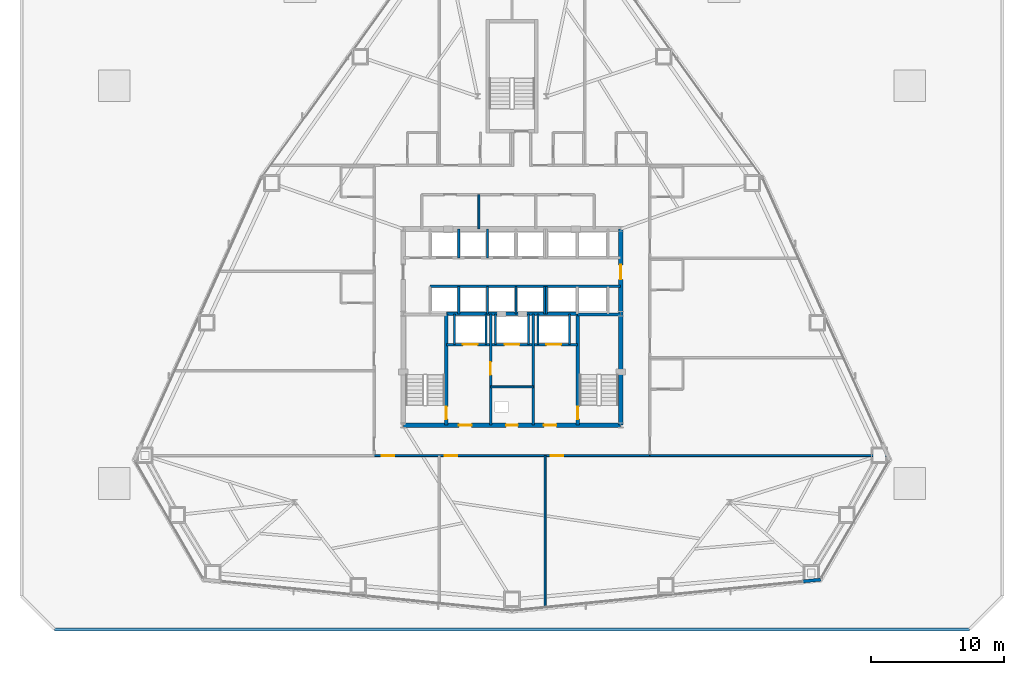
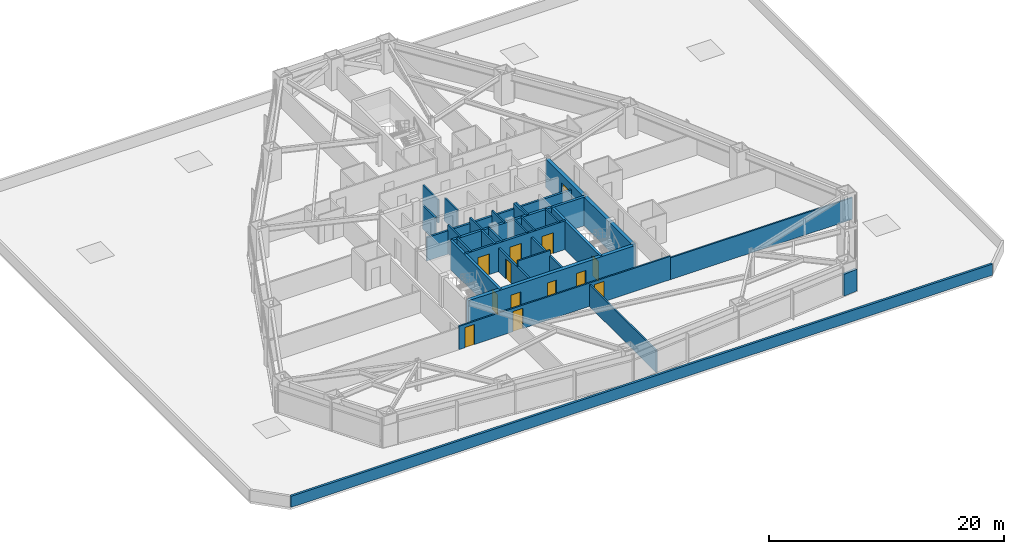
# One storey, part 13 of 17: 30 walls, 13 doors, 13 openings.
"""IFC4 building model written with IfcOpenShell, lengths in metres."""

from ifc_helpers import new_model, si_unit, direction, frame, frame_2d, origin, place, context, subcontext, project, spatial, rectangle, extrude, material, layer, layer_set, type_object, element, fill, save


model = new_model("IFC4")

# Units and contexts
model_context = context("Model", 3, precision=1e-05, world=origin(), true_north=direction((0.0, 1.0)))
body_context = subcontext(model_context, "Body", "Model", "MODEL_VIEW")
ifc_project = project(units=[si_unit("LENGTHUNIT", "METRE"), si_unit("AREAUNIT", "SQUARE_METRE"), si_unit("VOLUMEUNIT", "CUBIC_METRE"), si_unit("PLANEANGLEUNIT", "RADIAN"), si_unit("MASSUNIT", "GRAM", prefix="KILO")], contexts=[model_context])

# Site, building, storey
site_placement = place(None, origin())
site = spatial("IfcSite", under=ifc_project, at=site_placement, CompositionType="ELEMENT")
building_placement = place(site_placement, origin())
building = spatial("IfcBuilding", under=site, at=building_placement, Name="Varakhsha Concourse Tower", CompositionType="ELEMENT")
storey_placement = place(building_placement, frame((0.0, 0.0, 27.199951171875)))
storey = spatial("IfcBuildingStorey", under=building, at=storey_placement, Name="L06", CompositionType="ELEMENT", Elevation=27.199951171875)

# Wall, openings, doors
ifc_material_1 = material(Name="Concrete fc 65 MPa", Category="concrete")
ifc_layer_1 = layer(ifc_material_1, 0.35009765625, Name="WL-CORE-350")
ifc_layer_set_1 = layer_set([ifc_layer_1], Name="Concrete fc 65 MPa")
wall_type_1 = type_object("IfcWallType", Name="WL-CORE-350", PredefinedType="SHEAR", material=ifc_layer_set_1)
wall_1_placement = place(storey_placement, frame((31.800048828125, 16.39990234375, 0.0), z_axis=(0.0, 0.0, 1.0), x_axis=(1.0, 0.0, 0.0)))
wall_1 = element("IfcWall", 1, at=wall_1_placement, inside=storey, type_object=wall_type_1, Name="L06 Wall CWALL-S-L06", PredefinedType="SHEAR", context=body_context, shape_type="SweptSolid", body=[
    extrude(rectangle(XDim=16.39990234375, YDim=0.35009765625, at=frame_2d((8.199951171875, 0.0))), origin(), (0.0, 0.0, 1.0), 2.97998046875),
])
opening_1_placement = place(wall_1_placement, frame((7.75, 0.0, 0.0)))
opening_1 = element("IfcOpeningElement", 2, at=opening_1_placement, cuts=wall_1, Name="Opening DF-06", PredefinedType="OPENING", context=body_context, shape_type="SweptSolid", body=[
    extrude(rectangle(XDim=0.89990234375, YDim=2.10009765625, at=frame_2d((0.449951171875, 1.050048828125))), frame((0.0, 0.18505859375, 0.0), z_axis=(0.0, -1.0, 0.0), x_axis=(1.0, 0.0, 0.0)), (0.0, 0.0, 1.0), 0.3701171875),
])
opening_2_placement = place(wall_1_placement, frame((4.199951171875, 0.0, 0.0)))
opening_2 = element("IfcOpeningElement", 3, at=opening_2_placement, cuts=wall_1, Name="Opening DF-05", PredefinedType="OPENING", context=body_context, shape_type="SweptSolid", body=[
    extrude(rectangle(XDim=0.949951171875, YDim=2.10009765625, at=frame_2d((0.47509765625, 1.050048828125))), frame((0.0, 0.18505859375, 0.0), z_axis=(0.0, -1.0, 0.0), x_axis=(1.0, 0.0, 0.0)), (0.0, 0.0, 1.0), 0.3701171875),
])
opening_3_placement = place(wall_1_placement, frame((10.60009765625, 0.0, 0.0)))
opening_3 = element("IfcOpeningElement", 4, at=opening_3_placement, cuts=wall_1, Name="Opening DF-05", PredefinedType="OPENING", context=body_context, shape_type="SweptSolid", body=[
    extrude(rectangle(XDim=0.949951171875, YDim=2.10009765625, at=frame_2d((0.47509765625, 1.050048828125))), frame((0.0, 0.18505859375, 0.0), z_axis=(0.0, -1.0, 0.0), x_axis=(1.0, 0.0, 0.0)), (0.0, 0.0, 1.0), 0.3701171875),
])
ifc_material_2 = material(Name="Hollow Galvanised Steel Fire Door Assembly", Category="steel")
door_type_1 = type_object("IfcDoorType", Name="DR-FD60-900", OperationType="NOTDEFINED", PredefinedType="DOOR", material=ifc_material_2)
door_1_placement = place(opening_1_placement, origin())
door_1 = element("IfcDoor", 5, at=door_1_placement, inside=storey, type_object=door_type_1, Name="L06 Electrical Riser Access Door", OperationType="SINGLE_SWING_LEFT", OverallHeight=2.10009765625, OverallWidth=0.89990234375, PredefinedType="DOOR", context=body_context, shape_type="SweptSolid", body=[
    extrude(rectangle(XDim=0.89990234375, YDim=2.10009765625, at=frame_2d((0.449951171875, 1.050048828125))), frame((0.0, 0.02490234375, 0.0), z_axis=(0.0, -1.0, 0.0), x_axis=(1.0, 0.0, 0.0)), (0.0, 0.0, 1.0), 0.050048828125),
])
fill(opening_1, door_1)
door_type_2 = type_object("IfcDoorType", Name="DR-FD60-950", OperationType="NOTDEFINED", PredefinedType="DOOR", material=ifc_material_2)
door_2_placement = place(opening_2_placement, origin())
door_2 = element("IfcDoor", 6, at=door_2_placement, inside=storey, type_object=door_type_2, Name="L06 Firefighting Lobby West Door", OperationType="SINGLE_SWING_RIGHT", OverallHeight=2.10009765625, OverallWidth=0.949951171875, PredefinedType="DOOR", context=body_context, shape_type="SweptSolid", body=[
    extrude(rectangle(XDim=0.949951171875, YDim=2.10009765625, at=frame_2d((0.47509765625, 1.050048828125))), frame((0.0, 0.02490234375, 0.0), z_axis=(0.0, -1.0, 0.0), x_axis=(1.0, 0.0, 0.0)), (0.0, 0.0, 1.0), 0.050048828125),
])
fill(opening_2, door_2)
door_3_placement = place(opening_3_placement, origin())
door_3 = element("IfcDoor", 7, at=door_3_placement, inside=storey, type_object=door_type_2, Name="L06 Firefighting Lobby East Door", OperationType="SINGLE_SWING_LEFT", OverallHeight=2.10009765625, OverallWidth=0.949951171875, PredefinedType="DOOR", context=body_context, shape_type="SweptSolid", body=[
    extrude(rectangle(XDim=0.949951171875, YDim=2.10009765625, at=frame_2d((0.47509765625, 1.050048828125))), frame((0.0, 0.02490234375, 0.0), z_axis=(0.0, -1.0, 0.0), x_axis=(1.0, 0.0, 0.0)), (0.0, 0.0, 1.0), 0.050048828125),
])
fill(opening_3, door_3)

# Wall, opening, door
wall_2_placement = place(storey_placement, frame((48.199951171875, 16.39990234375, 0.0), z_axis=(0.0, 0.0, 1.0), x_axis=(0.0, 1.0, 0.0)))
wall_2 = element("IfcWall", 8, at=wall_2_placement, inside=storey, type_object=wall_type_1, Name="L06 Wall CWALL-E-L06", PredefinedType="SHEAR", context=body_context, shape_type="SweptSolid", body=[
    extrude(rectangle(XDim=14.800048828125, YDim=0.35009765625, at=frame_2d((7.39990234375, 0.0))), origin(), (0.0, 0.0, 1.0), 2.97998046875),
])
opening_4_placement = place(wall_2_placement, frame((11.0, 0.0, 0.0)))
opening_4 = element("IfcOpeningElement", 9, at=opening_4_placement, cuts=wall_2, Name="Opening DL-01", PredefinedType="OPENING", context=body_context, shape_type="SweptSolid", body=[
    extrude(rectangle(XDim=1.10009765625, YDim=2.14990234375, at=frame_2d((0.550048828125, 1.074951171875))), frame((0.0, 0.18505859375, 0.0), z_axis=(0.0, -1.0, 0.0), x_axis=(1.0, 0.0, 0.0)), (0.0, 0.0, 1.0), 0.3701171875),
])
ifc_material_3 = material(Name="Anodised Bronze Architectural Aluminium AA 6063-T6", Category="aluminium")
door_type_3 = type_object("IfcDoorType", Name="DR-LOB-1100", OperationType="NOTDEFINED", PredefinedType="DOOR", material=ifc_material_3)
door_4_placement = place(opening_4_placement, origin())
door_4 = element("IfcDoor", 10, at=door_4_placement, inside=storey, type_object=door_type_3, Name="L06 Lift Lobby East Concourse Door", OperationType="SINGLE_SWING_RIGHT", OverallHeight=2.14990234375, OverallWidth=1.10009765625, PredefinedType="DOOR", context=body_context, shape_type="SweptSolid", body=[
    extrude(rectangle(XDim=1.10009765625, YDim=2.14990234375, at=frame_2d((0.550048828125, 1.074951171875))), frame((0.0, 0.02490234375, 0.0), z_axis=(0.0, -1.0, 0.0), x_axis=(1.0, 0.0, 0.0)), (0.0, 0.0, 1.0), 0.050048828125),
])
fill(opening_4, door_4)

# Wall
ifc_material_4 = material(Name="Concrete fc 45 MPa", Category="concrete")
ifc_layer_2 = layer(ifc_material_4, 0.239990234375, Name="WL-EXT-CRN-240")
ifc_layer_set_2 = layer_set([ifc_layer_2], Name="Concrete fc 45 MPa")
wall_type_2 = type_object("IfcWallType", Name="WL-EXT-CRN-240", PredefinedType="SHEAR", material=ifc_layer_set_2)
wall_3_placement = place(storey_placement, frame((61.95654296875, 4.62060546875, 0.0), z_axis=(0.0, 0.0, 1.0), x_axis=(0.994962653924, 0.100246283205, 0.0)))
element("IfcWall", 11, at=wall_3_placement, inside=storey, type_object=wall_type_2, Name="L06 Wind-Corner Shoulder Wall F6", PredefinedType="SHEAR", context=body_context, shape_type="SweptSolid", body=[
    extrude(rectangle(XDim=1.334716796875, YDim=0.239990234375, at=frame_2d((0.66748046875, 0.0))), origin(), (0.0, 0.0, 1.0), 2.262939453125),
])

# Wall, opening, door
ifc_material_5 = material(Name="Fire-Rated Type X Gypsum Partition Assembly", Category="gypsum")
ifc_layer_3 = layer(ifc_material_5, 0.179931640625, Name="WL-FFLOB-180")
ifc_layer_set_3 = layer_set([ifc_layer_3], Name="Fire-Rated Type X Gypsum Partition Assembly")
wall_type_3 = type_object("IfcWallType", Name="WL-FFLOB-180", PredefinedType="PARTITIONING", material=ifc_layer_set_3)
wall_4_placement = place(storey_placement, frame((38.389892578125, 16.39990234375, 0.0), z_axis=(0.0, 0.0, 1.0), x_axis=(0.0, 1.0, 0.0)))
wall_4 = element("IfcWall", 12, at=wall_4_placement, inside=storey, type_object=wall_type_3, Name="L06 Wall FFW-1E-L06", PredefinedType="PARTITIONING", context=body_context, shape_type="SweptSolid", body=[
    extrude(rectangle(XDim=8.400146484375, YDim=0.179931640625, at=frame_2d((4.2001953125, 0.0))), origin(), (0.0, 0.0, 1.0), 2.43115234375),
])
opening_5_placement = place(wall_4_placement, frame((3.800048828125, 0.0, 0.0)))
opening_5 = element("IfcOpeningElement", 13, at=opening_5_placement, cuts=wall_4, Name="Opening DF-05", PredefinedType="OPENING", context=body_context, shape_type="SweptSolid", body=[
    extrude(rectangle(XDim=0.949951171875, YDim=2.10009765625, at=frame_2d((0.47509765625, 1.050048828125))), frame((0.0, 0.099853515625, 0.0), z_axis=(0.0, -1.0, 0.0), x_axis=(1.0, 0.0, 0.0)), (0.0, 0.0, 1.0), 0.199951171875),
])
door_5_placement = place(opening_5_placement, origin())
door_5 = element("IfcDoor", 14, at=door_5_placement, inside=storey, type_object=door_type_2, Name="L06 Service Vestibule Door", OperationType="SINGLE_SWING_RIGHT", OverallHeight=2.10009765625, OverallWidth=0.949951171875, PredefinedType="DOOR", context=body_context, shape_type="SweptSolid", body=[
    extrude(rectangle(XDim=0.949951171875, YDim=2.10009765625, at=frame_2d((0.47509765625, 1.050048828125))), frame((0.0, 0.02490234375, 0.0), z_axis=(0.0, -1.0, 0.0), x_axis=(1.0, 0.0, 0.0)), (0.0, 0.0, 1.0), 0.050048828125),
])
fill(opening_5, door_5)

# Walls
wall_5_placement = place(storey_placement, frame((41.610107421875, 16.39990234375, 0.0), z_axis=(0.0, 0.0, 1.0), x_axis=(0.0, 1.0, 0.0)))
element("IfcWall", 15, at=wall_5_placement, inside=storey, type_object=wall_type_3, Name="L06 Wall FFW-2W-L06", PredefinedType="PARTITIONING", context=body_context, shape_type="SweptSolid", body=[
    extrude(rectangle(XDim=8.400146484375, YDim=0.179931640625, at=frame_2d((4.2001953125, 0.0))), origin(), (0.0, 0.0, 1.0), 2.43115234375),
])
ifc_layer_4 = layer(ifc_material_4, 0.219970703125, Name="WL-PARAPET-220")
ifc_layer_set_4 = layer_set([ifc_layer_4], Name="Concrete fc 45 MPa")
wall_type_4 = type_object("IfcWallType", Name="WL-PARAPET-220", PredefinedType="PARAPET", material=ifc_layer_set_4)
wall_6_placement = place(storey_placement, frame((5.5, 1.0, 0.0), z_axis=(0.0, 0.0, 1.0), x_axis=(1.0, 0.0, 0.0)))
element("IfcWall", 16, at=wall_6_placement, inside=storey, type_object=wall_type_4, Name="Podium Roof Perimeter Parapet 01", PredefinedType="PARAPET", context=body_context, shape_type="SweptSolid", body=[
    extrude(rectangle(XDim=69.0, YDim=0.219970703125, at=frame_2d((34.5, 0.0))), origin(), (0.0, 0.0, 1.0), 1.150146484375),
])
ifc_layer_5 = layer(ifc_material_5, 0.14990234375, Name="WL-PART-150")
ifc_layer_set_5 = layer_set([ifc_layer_5], Name="Fire-Rated Type X Gypsum Partition Assembly")
wall_type_5 = type_object("IfcWallType", Name="WL-PART-150", PredefinedType="PARTITIONING", material=ifc_layer_set_5)
wall_7_placement = place(storey_placement, frame((38.389892578125, 19.300048828125, 0.0), z_axis=(0.0, 0.0, 1.0), x_axis=(1.0, 0.0, 0.0)))
element("IfcWall", 17, at=wall_7_placement, inside=storey, type_object=wall_type_5, Name="L06 Wall RSW-H-L06", PredefinedType="PARTITIONING", context=body_context, shape_type="SweptSolid", body=[
    extrude(rectangle(XDim=3.22021484375, YDim=0.14990234375, at=frame_2d((1.610107421875, 0.0))), origin(), (0.0, 0.0, 1.0), 2.97998046875),
])
wall_8_placement = place(storey_placement, frame((37.5, 31.199951171875, 0.0), z_axis=(0.0, 0.0, 1.0), x_axis=(0.0, 1.0, 0.0)))
element("IfcWall", 18, at=wall_8_placement, inside=storey, type_object=wall_type_5, Name="L06 Wall NBOH-D1-L06", PredefinedType="PARTITIONING", context=body_context, shape_type="SweptSolid", body=[
    extrude(rectangle(XDim=2.60009765625, YDim=0.14990234375, at=frame_2d((1.300048828125, 0.0))), origin(), (0.0, 0.0, 1.0), 2.43115234375),
])

# Wall, openings, doors
wall_9_placement = place(storey_placement, frame((29.60009765625, 14.10009765625, 0.0), z_axis=(0.0, 0.0, 1.0), x_axis=(1.0, 0.0, 0.0)))
wall_9 = element("IfcWall", 19, at=wall_9_placement, inside=storey, type_object=wall_type_5, Name="L06 Wall CRW-S-L06", PredefinedType="PARTITIONING", context=body_context, shape_type="SweptSolid", body=[
    extrude(rectangle(XDim=20.7998046875, YDim=0.14990234375, at=frame_2d((10.39990234375, 0.0))), origin(), (0.0, 0.0, 1.0), 2.43115234375),
])
opening_6_placement = place(wall_9_placement, frame((0.570068359375, 0.0, 0.0)))
opening_6 = element("IfcOpeningElement", 20, at=opening_6_placement, cuts=wall_9, Name="Opening DF-05", PredefinedType="OPENING", context=body_context, shape_type="SweptSolid", body=[
    extrude(rectangle(XDim=0.949951171875, YDim=2.10009765625, at=frame_2d((0.47509765625, 1.050048828125))), frame((0.0, 0.0849609375, 0.0), z_axis=(0.0, -1.0, 0.0), x_axis=(1.0, 0.0, 0.0)), (0.0, 0.0, 1.0), 0.169921875),
])
opening_7_placement = place(wall_9_placement, frame((5.320068359375, 0.0, 0.0)))
opening_7 = element("IfcOpeningElement", 21, at=opening_7_placement, cuts=wall_9, Name="Opening DF-05", PredefinedType="OPENING", context=body_context, shape_type="SweptSolid", body=[
    extrude(rectangle(XDim=0.949951171875, YDim=2.10009765625, at=frame_2d((0.47509765625, 1.050048828125))), frame((0.0, 0.0849609375, 0.0), z_axis=(0.0, -1.0, 0.0), x_axis=(1.0, 0.0, 0.0)), (0.0, 0.0, 1.0), 0.169921875),
])
opening_8_placement = place(wall_9_placement, frame((13.320068359375, 0.0, 0.0)))
opening_8 = element("IfcOpeningElement", 22, at=opening_8_placement, cuts=wall_9, Name="Opening DF-05", PredefinedType="OPENING", context=body_context, shape_type="SweptSolid", body=[
    extrude(rectangle(XDim=0.949951171875, YDim=2.10009765625, at=frame_2d((0.47509765625, 1.050048828125))), frame((0.0, 0.0849609375, 0.0), z_axis=(0.0, -1.0, 0.0), x_axis=(1.0, 0.0, 0.0)), (0.0, 0.0, 1.0), 0.169921875),
])
door_6_placement = place(opening_6_placement, origin())
door_6 = element("IfcDoor", 23, at=door_6_placement, inside=storey, type_object=door_type_2, Name="L06 Hotel Executive Salon L06-H01 Door", OperationType="SINGLE_SWING_LEFT", OverallHeight=2.10009765625, OverallWidth=0.949951171875, PredefinedType="DOOR", context=body_context, shape_type="SweptSolid", body=[
    extrude(rectangle(XDim=0.949951171875, YDim=2.10009765625, at=frame_2d((0.47509765625, 1.050048828125))), frame((0.0, 0.02490234375, 0.0), z_axis=(0.0, -1.0, 0.0), x_axis=(1.0, 0.0, 0.0)), (0.0, 0.0, 1.0), 0.050048828125),
])
fill(opening_6, door_6)
door_7_placement = place(opening_7_placement, origin())
door_7 = element("IfcDoor", 24, at=door_7_placement, inside=storey, type_object=door_type_2, Name="L06 Hospitality Club Lounge L06-H02 Door", OperationType="SINGLE_SWING_RIGHT", OverallHeight=2.10009765625, OverallWidth=0.949951171875, PredefinedType="DOOR", context=body_context, shape_type="SweptSolid", body=[
    extrude(rectangle(XDim=0.949951171875, YDim=2.10009765625, at=frame_2d((0.47509765625, 1.050048828125))), frame((0.0, 0.02490234375, 0.0), z_axis=(0.0, -1.0, 0.0), x_axis=(1.0, 0.0, 0.0)), (0.0, 0.0, 1.0), 0.050048828125),
])
fill(opening_7, door_7)
door_8_placement = place(opening_8_placement, origin())
door_8 = element("IfcDoor", 25, at=door_8_placement, inside=storey, type_object=door_type_2, Name="L06 Hotel Executive Salon L06-H03 Door", OperationType="SINGLE_SWING_LEFT", OverallHeight=2.10009765625, OverallWidth=0.949951171875, PredefinedType="DOOR", context=body_context, shape_type="SweptSolid", body=[
    extrude(rectangle(XDim=0.949951171875, YDim=2.10009765625, at=frame_2d((0.47509765625, 1.050048828125))), frame((0.0, 0.02490234375, 0.0), z_axis=(0.0, -1.0, 0.0), x_axis=(1.0, 0.0, 0.0)), (0.0, 0.0, 1.0), 0.050048828125),
])
fill(opening_8, door_8)

# Walls
wall_10_placement = place(storey_placement, frame((42.5, 2.665771484375, 0.0), z_axis=(0.0, 0.0, 1.0), x_axis=(0.0, 1.0, 0.0)))
element("IfcWall", 26, at=wall_10_placement, inside=storey, type_object=wall_type_5, Name="L06 Wall HDIV-S2-L06", PredefinedType="PARTITIONING", context=body_context, shape_type="SweptSolid", body=[
    extrude(rectangle(XDim=11.434326171875, YDim=0.14990234375, at=frame_2d((5.71728515625, 0.0))), origin(), (0.0, 0.0, 1.0), 2.26806640625),
])
wall_11_placement = place(storey_placement, frame((50.39990234375, 14.10009765625, 0.0), z_axis=(0.0, 0.0, 1.0), x_axis=(1.0, 0.0, 0.0)))
element("IfcWall", 27, at=wall_11_placement, inside=storey, type_object=wall_type_5, Name="L06 Wall HDIV-EB0-L06", PredefinedType="PARTITIONING", context=body_context, shape_type="SweptSolid", body=[
    extrude(rectangle(XDim=17.923095703125, YDim=0.14990234375, at=frame_2d((8.96142578125, 0.0))), origin(), (0.0, 0.0, 1.0), 2.26806640625),
])

# Wall, openings, doors
ifc_layer_6 = layer(ifc_material_5, 0.199951171875, Name="WL-SHAFT-220")
ifc_layer_set_6 = layer_set([ifc_layer_6], Name="Fire-Rated Type X Gypsum Partition Assembly")
wall_type_6 = type_object("IfcWallType", Name="WL-SHAFT-220", PredefinedType="SOLIDWALL", material=ifc_layer_set_6)
wall_12_placement = place(storey_placement, frame((35.044921875, 22.47998046875, 0.0), z_axis=(0.0, 0.0, 1.0), x_axis=(1.0, 0.0, 0.0)))
wall_12 = element("IfcWall", 28, at=wall_12_placement, inside=storey, type_object=wall_type_6, Name="L06 Wall FFW-NH-L06", PredefinedType="SOLIDWALL", context=body_context, shape_type="SweptSolid", body=[
    extrude(rectangle(XDim=9.91015625, YDim=0.199951171875, at=frame_2d((4.955078125, 0.0))), origin(), (0.0, 0.0, 1.0), 2.97998046875),
])
opening_9_placement = place(wall_12_placement, frame((1.2548828125, 0.0, 0.0)))
opening_9 = element("IfcOpeningElement", 29, at=opening_9_placement, cuts=wall_12, Name="Opening LD-FFL-1", PredefinedType="OPENING", context=body_context, shape_type="SweptSolid", body=[
    extrude(rectangle(XDim=1.10009765625, YDim=2.14990234375, at=frame_2d((0.550048828125, 1.074951171875))), frame((0.0, 0.10986328125, 0.0), z_axis=(0.0, -1.0, 0.0), x_axis=(1.0, 0.0, 0.0)), (0.0, 0.0, 1.0), 0.219970703125),
])
opening_10_placement = place(wall_12_placement, frame((7.554931640625, 0.0, 0.0)))
opening_10 = element("IfcOpeningElement", 30, at=opening_10_placement, cuts=wall_12, Name="Opening LD-FFL-2", PredefinedType="OPENING", context=body_context, shape_type="SweptSolid", body=[
    extrude(rectangle(XDim=1.10009765625, YDim=2.14990234375, at=frame_2d((0.550048828125, 1.074951171875))), frame((0.0, 0.10986328125, 0.0), z_axis=(0.0, -1.0, 0.0), x_axis=(1.0, 0.0, 0.0)), (0.0, 0.0, 1.0), 0.219970703125),
])
opening_11_placement = place(wall_12_placement, frame((4.405029296875, 0.0, 0.0)))
opening_11 = element("IfcOpeningElement", 31, at=opening_11_placement, cuts=wall_12, Name="Opening LD-SVL-1", PredefinedType="OPENING", context=body_context, shape_type="SweptSolid", body=[
    extrude(rectangle(XDim=1.10009765625, YDim=2.14990234375, at=frame_2d((0.550048828125, 1.074951171875))), frame((0.0, 0.10986328125, 0.0), z_axis=(0.0, -1.0, 0.0), x_axis=(1.0, 0.0, 0.0)), (0.0, 0.0, 1.0), 0.219970703125),
])
ifc_material_6 = material(Name="Brushed Austenitic Stainless Steel AISI 316", Category="steel")
door_type_4 = type_object("IfcDoorType", Name="DR-LD-1100", OperationType="DOUBLE_DOOR_SLIDING", PredefinedType="DOOR", material=ifc_material_6)
door_9_placement = place(opening_9_placement, origin())
door_9 = element("IfcDoor", 32, at=door_9_placement, inside=storey, type_object=door_type_4, Name="Lift Landing Door FFL-1 L06", OperationType="DOUBLE_DOOR_SLIDING", OverallHeight=2.14990234375, OverallWidth=1.10009765625, PredefinedType="DOOR", context=body_context, shape_type="SweptSolid", body=[
    extrude(rectangle(XDim=1.10009765625, YDim=2.14990234375, at=frame_2d((0.550048828125, 1.074951171875))), frame((0.0, 0.02490234375, 0.0), z_axis=(0.0, -1.0, 0.0), x_axis=(1.0, 0.0, 0.0)), (0.0, 0.0, 1.0), 0.050048828125),
])
fill(opening_9, door_9)
door_10_placement = place(opening_10_placement, origin())
door_10 = element("IfcDoor", 33, at=door_10_placement, inside=storey, type_object=door_type_4, Name="Lift Landing Door FFL-2 L06", OperationType="DOUBLE_DOOR_SLIDING", OverallHeight=2.14990234375, OverallWidth=1.10009765625, PredefinedType="DOOR", context=body_context, shape_type="SweptSolid", body=[
    extrude(rectangle(XDim=1.10009765625, YDim=2.14990234375, at=frame_2d((0.550048828125, 1.074951171875))), frame((0.0, 0.02490234375, 0.0), z_axis=(0.0, -1.0, 0.0), x_axis=(1.0, 0.0, 0.0)), (0.0, 0.0, 1.0), 0.050048828125),
])
fill(opening_10, door_10)
door_11_placement = place(opening_11_placement, origin())
door_11 = element("IfcDoor", 34, at=door_11_placement, inside=storey, type_object=door_type_4, Name="Lift Landing Door SVL-1 L06", OperationType="DOUBLE_DOOR_SLIDING", OverallHeight=2.14990234375, OverallWidth=1.10009765625, PredefinedType="DOOR", context=body_context, shape_type="SweptSolid", body=[
    extrude(rectangle(XDim=1.10009765625, YDim=2.14990234375, at=frame_2d((0.550048828125, 1.074951171875))), frame((0.0, 0.02490234375, 0.0), z_axis=(0.0, -1.0, 0.0), x_axis=(1.0, 0.0, 0.0)), (0.0, 0.0, 1.0), 0.050048828125),
])
fill(opening_11, door_11)

# Walls
for number, where, z_axis, x_axis, name in (
    (35, (35.64990234375, 22.47998046875, 0.0), (0.0, 0.0, 1.0), (0.0, 1.0, 0.0), "L06 Wall SHW-FFL-1-W-L06"),
    (36, (38.050048828125, 22.47998046875, 0.0), (0.0, 0.0, 1.0), (0.0, 1.0, 0.0), "L06 Wall SHW-FFL-1-E-L06"),
    (37, (41.949951171875, 22.47998046875, 0.0), (0.0, 0.0, 1.0), (0.0, 1.0, 0.0), "L06 Wall SHW-FFL-2-W-L06"),
    (38, (44.35009765625, 22.47998046875, 0.0), (0.0, 0.0, 1.0), (0.0, 1.0, 0.0), "L06 Wall SHW-FFL-2-E-L06"),
    (39, (38.75, 22.47998046875, 0.0), (0.0, 0.0, 1.0), (0.0, 1.0, 0.0), "L06 Wall SHW-SVL-1-W-L06"),
    (40, (41.25, 22.47998046875, 0.0), (0.0, 0.0, 1.0), (0.0, 1.0, 0.0), "L06 Wall SHW-SVL-1-E-L06"),
):
    element("IfcWall", number, at=place(storey_placement, frame(where, z_axis=z_axis, x_axis=x_axis)), inside=storey, type_object=wall_type_6, Name=name, PredefinedType="SOLIDWALL", context=body_context, shape_type="SweptSolid", body=[
        extrude(rectangle(XDim=2.320068359375, YDim=0.159912109375, at=frame_2d((1.16015625, 0.0))), origin(), (0.0, 0.0, 1.0), 2.97998046875),
    ])
wall_13_placement = place(storey_placement, frame((33.820068359375, 26.8798828125, 0.0), z_axis=(0.0, 0.0, 1.0), x_axis=(1.0, 0.0, 0.0)))
element("IfcWall", 41, at=wall_13_placement, inside=storey, type_object=wall_type_6, Name="L06 Wall PLW-S-L06", PredefinedType="SOLIDWALL", context=body_context, shape_type="SweptSolid", body=[
    extrude(rectangle(XDim=14.3798828125, YDim=0.199951171875, at=frame_2d((7.18994140625, 0.0))), origin(), (0.0, 0.0, 1.0), 2.43115234375),
])
for number, where, z_axis, x_axis, name in (
    (42, (35.97998046875, 29.02001953125, 0.0), (0.0, 0.0, 1.0), (0.0, 1.0, 0.0), "L06 Wall SHW-LF-P01-E-L06"),
    (43, (38.139892578125, 29.02001953125, 0.0), (0.0, 0.0, 1.0), (0.0, 1.0, 0.0), "L06 Wall SHW-LF-P02-E-L06"),
):
    element("IfcWall", number, at=place(storey_placement, frame(where, z_axis=z_axis, x_axis=x_axis)), inside=storey, type_object=wall_type_6, Name=name, PredefinedType="SOLIDWALL", context=body_context, shape_type="SweptSolid", body=[
        extrude(rectangle(XDim=2.179931640625, YDim=0.159912109375, at=frame_2d((1.08984375, 0.0))), origin(), (0.0, 0.0, 1.0), 2.43115234375),
    ])
for number, where, z_axis, x_axis, name in (
    (44, (35.97998046875, 24.800048828125, 0.0), (0.0, 0.0, 1.0), (0.0, 1.0, 0.0), "L06 Wall SHW-LF-P05-E-L06"),
    (45, (38.139892578125, 24.800048828125, 0.0), (0.0, 0.0, 1.0), (0.0, 1.0, 0.0), "L06 Wall SHW-LF-P06-E-L06"),
    (46, (40.300048828125, 24.800048828125, 0.0), (0.0, 0.0, 1.0), (0.0, 1.0, 0.0), "L06 Wall SHW-LF-P07-E-L06"),
    (47, (42.4599609375, 24.800048828125, 0.0), (0.0, 0.0, 1.0), (0.0, 1.0, 0.0), "L06 Wall SHW-LF-P08-E-L06"),
    (48, (42.60009765625, 24.800048828125, 0.0), (0.0, 0.0, 1.0), (0.0, 1.0, 0.0), "L06 Wall SHW-LF-P11-W-L06"),
):
    element("IfcWall", number, at=place(storey_placement, frame(where, z_axis=z_axis, x_axis=x_axis)), inside=storey, type_object=wall_type_6, Name=name, PredefinedType="SOLIDWALL", context=body_context, shape_type="SweptSolid", body=[
        extrude(rectangle(XDim=2.079833984375, YDim=0.159912109375, at=frame_2d((1.0400390625, 0.0))), origin(), (0.0, 0.0, 1.0), 2.97998046875),
    ])

# Wall, opening, door
ifc_layer_7 = layer(ifc_material_4, 0.25, Name="WL-STAIR-250")
ifc_layer_set_7 = layer_set([ifc_layer_7], Name="Concrete fc 45 MPa")
wall_type_7 = type_object("IfcWallType", Name="WL-STAIR-250", PredefinedType="SHEAR", material=ifc_layer_set_7)
wall_14_placement = place(storey_placement, frame((35.044921875, 16.39990234375, 0.0), z_axis=(0.0, 0.0, 1.0), x_axis=(0.0, 1.0, 0.0)))
wall_14 = element("IfcWall", 49, at=wall_14_placement, inside=storey, type_object=wall_type_7, Name="L06 Wall SWALL-ST1-E-L06", PredefinedType="SHEAR", context=body_context, shape_type="SweptSolid", body=[
    extrude(rectangle(XDim=8.400146484375, YDim=0.25, at=frame_2d((4.2001953125, 0.0))), origin(), (0.0, 0.0, 1.0), 2.97998046875),
])
opening_12_placement = place(wall_14_placement, frame((0.449951171875, 0.0, 0.0)))
opening_12 = element("IfcOpeningElement", 50, at=opening_12_placement, cuts=wall_14, Name="Opening DF-03", PredefinedType="OPENING", context=body_context, shape_type="SweptSolid", body=[
    extrude(rectangle(XDim=0.949951171875, YDim=2.10009765625, at=frame_2d((0.47509765625, 1.050048828125))), frame((0.0, 0.135009765625, 0.0), z_axis=(0.0, -1.0, 0.0), x_axis=(1.0, 0.0, 0.0)), (0.0, 0.0, 1.0), 0.27001953125),
])
door_type_5 = type_object("IfcDoorType", Name="DR-FD90-950", OperationType="NOTDEFINED", PredefinedType="DOOR", material=ifc_material_2)
door_12_placement = place(opening_12_placement, origin())
door_12 = element("IfcDoor", 51, at=door_12_placement, inside=storey, type_object=door_type_5, Name="L06 Stair ST1 Fire Door", OperationType="SINGLE_SWING_LEFT", OverallHeight=2.10009765625, OverallWidth=0.949951171875, PredefinedType="DOOR", context=body_context, shape_type="SweptSolid", body=[
    extrude(rectangle(XDim=0.949951171875, YDim=2.10009765625, at=frame_2d((0.47509765625, 1.050048828125))), frame((0.0, 0.02490234375, 0.0), z_axis=(0.0, -1.0, 0.0), x_axis=(1.0, 0.0, 0.0)), (0.0, 0.0, 1.0), 0.050048828125),
])
fill(opening_12, door_12)

wall_15_placement = place(storey_placement, frame((44.955078125, 16.39990234375, 0.0), z_axis=(0.0, 0.0, 1.0), x_axis=(0.0, 1.0, 0.0)))
wall_15 = element("IfcWall", 52, at=wall_15_placement, inside=storey, type_object=wall_type_7, Name="L06 Wall SWALL-ST2-W-L06", PredefinedType="SHEAR", context=body_context, shape_type="SweptSolid", body=[
    extrude(rectangle(XDim=8.400146484375, YDim=0.25, at=frame_2d((4.2001953125, 0.0))), origin(), (0.0, 0.0, 1.0), 2.97998046875),
])
opening_13_placement = place(wall_15_placement, frame((0.449951171875, 0.0, 0.0)))
opening_13 = element("IfcOpeningElement", 53, at=opening_13_placement, cuts=wall_15, Name="Opening DF-03", PredefinedType="OPENING", context=body_context, shape_type="SweptSolid", body=[
    extrude(rectangle(XDim=0.949951171875, YDim=2.10009765625, at=frame_2d((0.47509765625, 1.050048828125))), frame((0.0, 0.135009765625, 0.0), z_axis=(0.0, -1.0, 0.0), x_axis=(1.0, 0.0, 0.0)), (0.0, 0.0, 1.0), 0.27001953125),
])
door_13_placement = place(opening_13_placement, origin())
door_13 = element("IfcDoor", 54, at=door_13_placement, inside=storey, type_object=door_type_5, Name="L06 Stair ST2 Fire Door", OperationType="SINGLE_SWING_RIGHT", OverallHeight=2.10009765625, OverallWidth=0.949951171875, PredefinedType="DOOR", context=body_context, shape_type="SweptSolid", body=[
    extrude(rectangle(XDim=0.949951171875, YDim=2.10009765625, at=frame_2d((0.47509765625, 1.050048828125))), frame((0.0, 0.02490234375, 0.0), z_axis=(0.0, -1.0, 0.0), x_axis=(1.0, 0.0, 0.0)), (0.0, 0.0, 1.0), 0.050048828125),
])
fill(opening_13, door_13)

# Walls
wall_16_placement = place(storey_placement, frame((44.955078125, 24.7548828125, 0.0), z_axis=(0.0, 0.0, 1.0), x_axis=(1.0, 0.0, 0.0)))
element("IfcWall", 55, at=wall_16_placement, inside=storey, type_object=wall_type_7, Name="L06 Wall SWALL-ST2-N-L06", PredefinedType="SHEAR", context=body_context, shape_type="SweptSolid", body=[
    extrude(rectangle(XDim=3.244873046875, YDim=0.25, at=frame_2d((1.62255859375, 0.0))), origin(), (0.0, 0.0, 1.0), 2.97998046875),
])
wall_17_placement = place(storey_placement, frame((35.044921875, 24.800048828125, 0.0), z_axis=(0.0, 0.0, 1.0), x_axis=(1.0, 0.0, 0.0)))
element("IfcWall", 56, at=wall_17_placement, inside=storey, type_object=wall_type_7, Name="L06 Wall SWALL-MID-H-L06", PredefinedType="SHEAR", context=body_context, shape_type="SweptSolid", body=[
    extrude(rectangle(XDim=9.91015625, YDim=0.25, at=frame_2d((4.955078125, 0.0))), origin(), (0.0, 0.0, 1.0), 2.97998046875),
])

save(model, "model.ifc")
